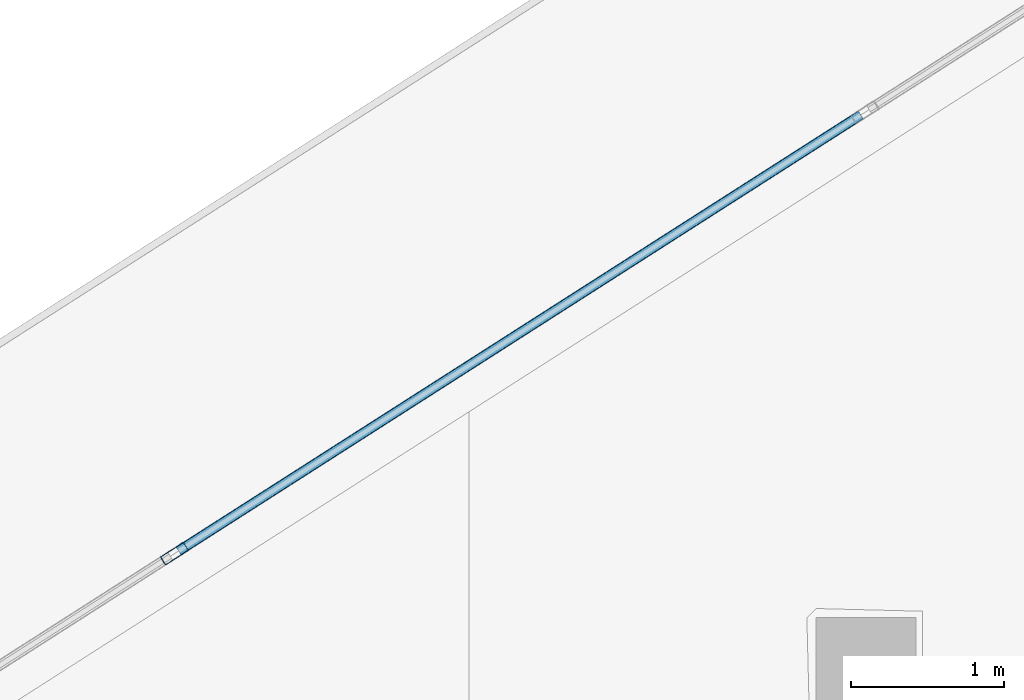
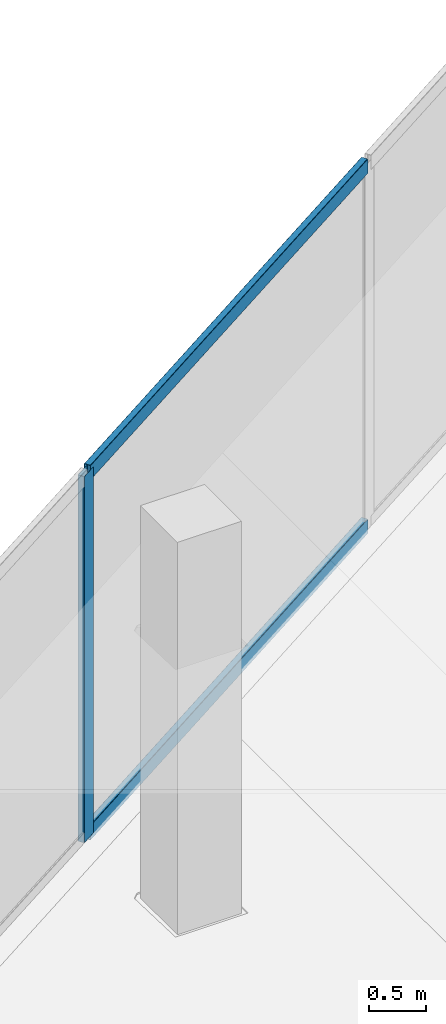
# One storey, part 18 of 45: 3 members, 1 element without a shape of its own.
"""IFC4 building model written with IfcOpenShell, lengths in metres."""

import ifcopenshell
import ifcopenshell.guid

model = None  # the IFC model being written
_history = None  # IfcOwnerHistory: only IFC2X3 demands one
_inside = {}  # id of a spatial element -> (the spatial element, [elements in it])
_under = {}  # id of a project, library or spatial element -> (it, [spatial elements below it])
_declared = {}  # id of a project -> (the project, [libraries it declares])
_typed = {}  # id of a type object -> (the type object, [elements of that type])
_made_of = {}  # id of a material, layer set ... -> (it, [elements and type objects made of it])


def new_model(schema):
    """Start an empty IFC model of exactly this schema.

    Asked for "IFC4X3", IfcOpenShell would pick the latest addendum, in which some entities
    have other attributes; the version numbers below select the first issue.
    IFC2X3 requires an IfcOwnerHistory on every rooted entity: one is made here for all.
    """
    global model, _history
    if schema == "IFC4X3":
        model = ifcopenshell.file(schema_version=(4, 3, 0, 0))
    else:
        model = ifcopenshell.file(schema=schema)
    _inside.clear()
    _under.clear()
    _declared.clear()
    _typed.clear()
    _made_of.clear()
    _history = None
    if model.schema == "IFC2X3":
        org = make("IfcOrganization", Name="unknown")
        user = make(
            "IfcPersonAndOrganization",
            ThePerson=make("IfcPerson", FamilyName="unknown"),
            TheOrganization=org,
        )
        app = make(
            "IfcApplication",
            ApplicationDeveloper=org,
            Version="unknown",
            ApplicationFullName="unknown",
            ApplicationIdentifier="unknown",
        )
        _history = make(
            "IfcOwnerHistory",
            OwningUser=user,
            OwningApplication=app,
            ChangeAction="ADDED",
            CreationDate=0,
        )
    return model


def make(cls, **values):
    """One entity of the class cls with the attributes given. An attribute that is None is left unset."""
    return model.create_entity(
        cls, **{name: value for name, value in values.items() if value is not None}
    )


def rooted(cls, **values):
    """An entity with a GlobalId (a new one), such as an element, a storey or a relation."""
    return make(cls, GlobalId=ifcopenshell.guid.new(), OwnerHistory=_history, **values)


def si_unit(unit_type, name, prefix=None):
    """IfcSIUnit, for example si_unit("LENGTHUNIT", "METRE", prefix="MILLI")."""
    return make("IfcSIUnit", UnitType=unit_type, Prefix=prefix, Name=name)


def assignment(units):
    """IfcUnitAssignment: the units of a project."""
    return None if units is None else make("IfcUnitAssignment", Units=units)


def point(xyz):
    """IfcCartesianPoint."""
    return None if xyz is None else make("IfcCartesianPoint", Coordinates=xyz)


def direction(xyz):
    """IfcDirection."""
    return None if xyz is None else make("IfcDirection", DirectionRatios=xyz)


def frame(location, z_axis=None, x_axis=None):
    """IfcAxis2Placement3D, a coordinate frame: its origin and axes. An axis left out is left unset."""
    return make(
        "IfcAxis2Placement3D",
        Location=point(location),
        Axis=direction(z_axis),
        RefDirection=direction(x_axis),
    )


def frame_2d(location, x_axis=None):
    """IfcAxis2Placement2D, a coordinate frame in the plane: its origin and x axis."""
    return make(
        "IfcAxis2Placement2D", Location=point(location), RefDirection=direction(x_axis)
    )


def origin():
    """The frame at (0, 0, 0) with its axes left unset."""
    return frame((0.0, 0.0, 0.0))


def origin_2d():
    """The frame at (0, 0) in the plane with its x axis left unset."""
    return frame_2d((0.0, 0.0))


def place(relative_to, where):
    """IfcLocalPlacement: puts the frame where relative to a parent placement (None: the world)."""
    return make(
        "IfcLocalPlacement", PlacementRelTo=relative_to, RelativePlacement=where
    )


def context(
    kind, dimensions, precision=None, world=None, true_north=None, identifier=None
):
    """IfcGeometricRepresentationContext, for example the 3D "Model" context."""
    return make(
        "IfcGeometricRepresentationContext",
        ContextIdentifier=identifier,
        ContextType=kind,
        CoordinateSpaceDimension=dimensions,
        Precision=precision,
        WorldCoordinateSystem=world,
        TrueNorth=true_north,
    )


def subcontext(parent, identifier, kind, view, scale=None):
    """IfcGeometricRepresentationSubContext, for example "Body" below "Model"."""
    return make(
        "IfcGeometricRepresentationSubContext",
        ContextIdentifier=identifier,
        ContextType=kind,
        ParentContext=parent,
        TargetScale=scale,
        TargetView=view,
    )


def project(units=None, contexts=None):
    """IfcProject with its units and contexts."""
    return rooted(
        "IfcProject",
        Name="project",
        RepresentationContexts=contexts,
        UnitsInContext=assignment(units),
    )


def spatial(cls, under=None, at=None, **own):
    """A site, building, storey or space (cls), placed at a placement, below another one or the project."""
    s = rooted(cls, ObjectPlacement=at, **own)
    if under is not None:
        _under.setdefault(under.id(), (under, []))[1].append(s)
    return s


def profile(cls, at=None, kind="AREA", **sizes):
    """A parametric profile (cls). Its sizes go by their IFC names, for example OverallWidth=200.0."""
    return make(cls, ProfileType=kind, Position=at, **sizes)


def hollow_rectangle(**sizes):
    """IfcRectangleHollowProfileDef."""
    return profile("IfcRectangleHollowProfileDef", **sizes)


def extrude(swept, where, along, depth):
    """IfcExtrudedAreaSolid: the profile swept, set in the frame where, extruded along a direction by depth."""
    return make(
        "IfcExtrudedAreaSolid",
        SweptArea=swept,
        Position=where,
        ExtrudedDirection=direction(along),
        Depth=depth,
    )


def shape(context_of_items, identifier, shape_type, items):
    """IfcShapeRepresentation: the items that make up one representation, for example the "Body"."""
    return make(
        "IfcShapeRepresentation",
        ContextOfItems=context_of_items,
        RepresentationIdentifier=identifier,
        RepresentationType=shape_type,
        Items=items,
    )


def material(Name=None, Category=None):
    """IfcMaterial."""
    return make("IfcMaterial", Name=Name, Category=Category)


def layer(
    of_material, thickness, ventilated=None, Name=None, Category=None, Priority=None
):
    """IfcMaterialLayer: one layer of a wall or slab, of a material (None: an air gap)."""
    return make(
        "IfcMaterialLayer",
        Material=of_material,
        LayerThickness=thickness,
        IsVentilated=ventilated,
        Name=Name,
        Category=Category,
        Priority=Priority,
    )


def layer_set(layers, Name=None):
    """IfcMaterialLayerSet."""
    return make("IfcMaterialLayerSet", MaterialLayers=layers, LayerSetName=Name)


def material_profile(
    of_material, cross_section, Name=None, Category=None, Priority=None
):
    """IfcMaterialProfile: a cross section and its material."""
    return make(
        "IfcMaterialProfile",
        Name=Name,
        Material=of_material,
        Profile=cross_section,
        Priority=Priority,
        Category=Category,
    )


def profile_set(profiles, Name=None, composite=None):
    """IfcMaterialProfileSet."""
    return make(
        "IfcMaterialProfileSet",
        Name=Name,
        MaterialProfiles=profiles,
        CompositeProfile=composite,
    )


def made_of(thing, what):
    """Note that an element or type object is made of a material, layer set ...; save() writes the relation."""
    if what is not None:
        _made_of.setdefault(what.id(), (what, []))[1].append(thing)
    return thing


def type_object(cls, material=None, **own):
    """A type object (cls), such as IfcWallType, which elements share."""
    return made_of(rooted(cls, **own), material)


def element(
    cls,
    number,
    at=None,
    inside=None,
    cuts=None,
    type_object=None,
    material=None,
    context=None,
    identifier="Body",
    shape_type=None,
    held_by="IfcProductDefinitionShape",
    body=None,
    shapes=None,
    **own,
):
    """One element of the class cls, such as IfcWall. Its Tag is "e" and its number.

    at: its placement. inside: the storey or other place that contains it. cuts: it is an
    opening in that element (IfcRelVoidsElement). A single representation is given by context,
    identifier, shape_type and body (its items); several are given by shapes. held_by: the class
    of the entity that holds the representations. save() writes the other relations.
    """
    e = rooted(cls, Tag="e%d" % number, ObjectPlacement=at, **own)
    if body is not None:
        shapes = [shape(context, identifier, shape_type, body)]
    if shapes is not None:
        e.Representation = make(held_by, Representations=shapes)
    if inside is not None:
        _inside.setdefault(inside.id(), (inside, []))[1].append(e)
    if cuts is not None:
        rooted(
            "IfcRelVoidsElement", RelatingBuildingElement=cuts, RelatedOpeningElement=e
        )
    if type_object is not None:
        _typed.setdefault(type_object.id(), (type_object, []))[1].append(e)
    return made_of(e, material)


def aggregate(whole, parts):
    """IfcRelAggregates: a whole, such as a stair, and the parts it consists of."""
    return rooted("IfcRelAggregates", RelatingObject=whole, RelatedObjects=parts)


def save(model, path):
    """Write the relations noted so far, then the file.

    IfcRelAggregates (storeys below a building ...), IfcRelContainedInSpatialStructure (elements
    in a storey), IfcRelDefinesByType, IfcRelAssociatesMaterial and IfcRelDeclares: one each for
    every whole, place, type object, material and project.
    """
    for whole, parts in _under.values():
        aggregate(whole, parts)
    for where, things in _inside.values():
        rooted(
            "IfcRelContainedInSpatialStructure",
            RelatedElements=things,
            RelatingStructure=where,
        )
    for kind, things in _typed.values():
        rooted("IfcRelDefinesByType", RelatedObjects=things, RelatingType=kind)
    for what, things in _made_of.values():
        rooted("IfcRelAssociatesMaterial", RelatedObjects=things, RelatingMaterial=what)
    for by, libraries in _declared.values():
        rooted("IfcRelDeclares", RelatingContext=by, RelatedDefinitions=libraries)
    model.write(path)


model = new_model("IFC4")

# Units and contexts
model_context = context("Model", 3, precision=1e-05, world=origin(), true_north=direction((0.0, 1.0)))
body_context = subcontext(model_context, "Body", "Model", "MODEL_VIEW")
ifc_project = project(units=[si_unit("LENGTHUNIT", "METRE"), si_unit("AREAUNIT", "SQUARE_METRE"), si_unit("VOLUMEUNIT", "CUBIC_METRE"), si_unit("PLANEANGLEUNIT", "RADIAN"), si_unit("MASSUNIT", "GRAM", prefix="KILO")], contexts=[model_context])

# Site, building, storey
site_placement = place(None, origin())
site = spatial("IfcSite", under=ifc_project, at=site_placement, CompositionType="ELEMENT")
building_placement = place(site_placement, origin())
building = spatial("IfcBuilding", under=site, at=building_placement, Name="Qorvath Tower", CompositionType="ELEMENT")
storey_placement = place(building_placement, frame((0.0, 0.0, 49.199951171875)))
storey = spatial("IfcBuildingStorey", under=building, at=storey_placement, Name="L10", CompositionType="ELEMENT", Elevation=49.199951171875)

# Curtain wall, members
ifc_material_1 = material(Name="Anodised aluminium and triple low-E glass", Category="aluminium")
ifc_layer = layer(ifc_material_1, 0.179931640625)
ifc_layer_set = layer_set([ifc_layer], Name="CW-SYS-2")
curtain_wall_type = type_object("IfcCurtainWallType", Name="CW-SYS-2", PredefinedType="NOTDEFINED", material=ifc_layer_set)
curtain_wall_placement = place(storey_placement, origin())
curtain_wall = element("IfcCurtainWall", 1, at=curtain_wall_placement, inside=storey, type_object=curtain_wall_type, Name="Curtain Wall CW-2 CW-T-L10-16.2", PredefinedType="NOTDEFINED")
ifc_material_2 = material(Name="Anodised aluminium 6063-T6", Category="aluminium")
ifc_material_profile_1 = material_profile(ifc_material_2, hollow_rectangle(XDim=0.06494140625, YDim=0.179931640625, WallThickness=0.00341796875, InnerFilletRadius=0.00341796875, OuterFilletRadius=0.007080078125, at=origin_2d()), Name="CWM 180x65")
ifc_profile_set_1 = profile_set([ifc_material_profile_1], Name="Anodised aluminium 6063-T6")
member_type_1 = type_object("IfcMemberType", Name="CWM-180", PredefinedType="MULLION", material=ifc_profile_set_1)
member_1_placement = place(storey_placement, frame((-35.5244140625, 20.203125, 0.0), z_axis=(0.0, 0.0, 1.0), x_axis=(0.538541095387, -0.842599245537, 0.0)))
member_1 = element("IfcMember", 2, at=member_1_placement, type_object=member_type_1, Name="CW-2 mullion 4", PredefinedType="MULLION", context=body_context, shape_type="SweptSolid", body=[
    extrude(hollow_rectangle(XDim=0.06494140625, YDim=0.179931640625, WallThickness=0.00341796875, InnerFilletRadius=0.00341796875, OuterFilletRadius=0.007080078125, at=origin_2d()), origin(), (0.0, 0.0, 1.0), 3.920166015625),
])
ifc_material_3 = material(Name="Anodised aluminium 6063-T6", Category="aluminium")
ifc_material_profile_2 = material_profile(ifc_material_3, hollow_rectangle(XDim=0.06494140625, YDim=0.159912109375, WallThickness=0.00341796875, InnerFilletRadius=0.00341796875, OuterFilletRadius=0.007080078125, at=origin_2d()), Name="CWT 160x65")
ifc_profile_set_2 = profile_set([ifc_material_profile_2], Name="Anodised aluminium 6063-T6")
member_type_2 = type_object("IfcMemberType", Name="CWT-160", PredefinedType="USERDEFINED", material=ifc_profile_set_2)
member_2_placement = place(storey_placement, frame((-31.0498046875, 23.063232421875, 0.032470703125), z_axis=(-0.842591313382, -0.538553505803, 0.0), x_axis=(0.538553505803, -0.842591313382, 0.0)))
member_2 = element("IfcMember", 3, at=member_2_placement, type_object=member_type_2, Name="CW-2 transom 3.1", ObjectType="TRANSOM", PredefinedType="USERDEFINED", context=body_context, shape_type="SweptSolid", body=[
    extrude(hollow_rectangle(XDim=0.06494140625, YDim=0.159912109375, WallThickness=0.00341796875, InnerFilletRadius=0.00341796875, OuterFilletRadius=0.007080078125, at=origin_2d()), origin(), (0.0, 0.0, 1.0), 5.278076171875),
])
member_3_placement = place(storey_placement, frame((-31.0498046875, 23.063232421875, 3.8876953125), z_axis=(-0.842591313382, -0.538553505803, 0.0), x_axis=(0.538553505803, -0.842591313382, 0.0)))
member_3 = element("IfcMember", 4, at=member_3_placement, type_object=member_type_2, Name="CW-2 transom 3.2", ObjectType="TRANSOM", PredefinedType="USERDEFINED", context=body_context, shape_type="SweptSolid", body=[
    extrude(hollow_rectangle(XDim=0.06494140625, YDim=0.159912109375, WallThickness=0.00341796875, InnerFilletRadius=0.00341796875, OuterFilletRadius=0.007080078125, at=origin_2d()), origin(), (0.0, 0.0, 1.0), 5.278076171875),
])
aggregate(curtain_wall, [member_1, member_2, member_3])

save(model, "model.ifc")
